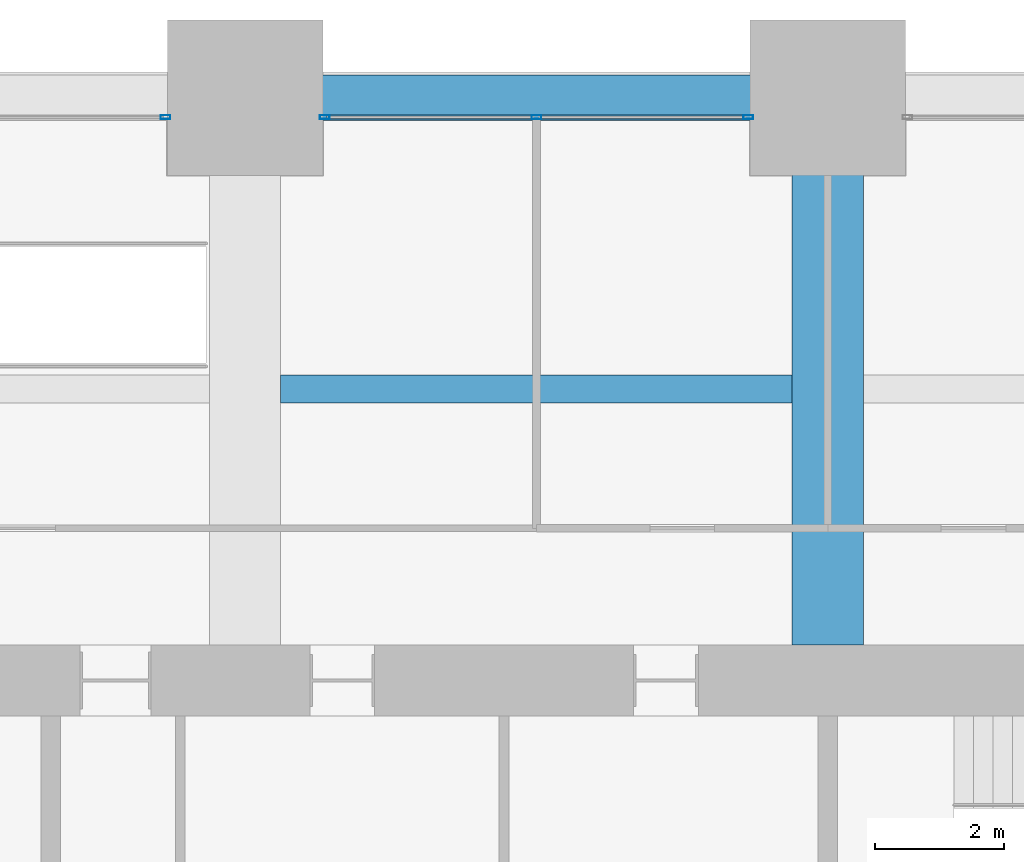
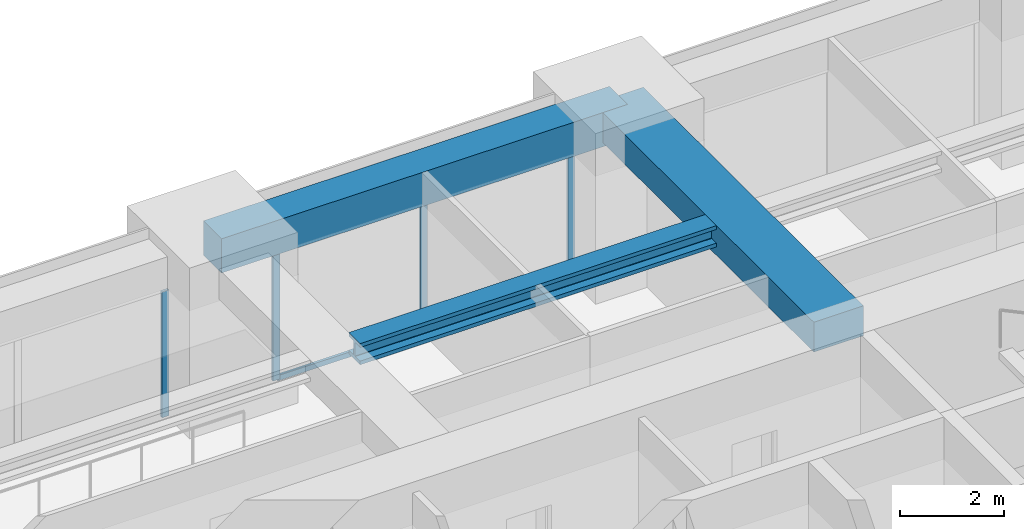
# One storey, part 25 of 32: 5 members, 3 beams, 2 elements without a shape of their own.
"""IFC4 building model written with IfcOpenShell, lengths in metres."""

from ifc_helpers import new_model, si_unit, direction, frame, origin, origin_2d, place, context, subcontext, project, spatial, rectangle, hollow_rectangle, i_section, extrude, material, material_profile, profile_set, type_object, element, aggregate, save


model = new_model("IFC4")

# Units and contexts
model_context = context("Model", 3, precision=1e-05, world=origin(), true_north=direction((0.0, 1.0)))
body_context = subcontext(model_context, "Body", "Model", "MODEL_VIEW")
ifc_project = project(units=[si_unit("LENGTHUNIT", "METRE"), si_unit("AREAUNIT", "SQUARE_METRE"), si_unit("VOLUMEUNIT", "CUBIC_METRE"), si_unit("PLANEANGLEUNIT", "RADIAN"), si_unit("MASSUNIT", "GRAM", prefix="KILO")], contexts=[model_context])

# Site, building, storey
site_placement = place(None, origin())
site = spatial("IfcSite", under=ifc_project, at=site_placement, CompositionType="ELEMENT")
building_placement = place(site_placement, origin())
building = spatial("IfcBuilding", under=site, at=building_placement, Name="Zorevar Civic Tower", CompositionType="ELEMENT")
storey_placement = place(building_placement, frame((0.0, 0.0, 198.199951171875)))
storey = spatial("IfcBuildingStorey", under=building, at=storey_placement, Name="L48", CompositionType="ELEMENT", Elevation=198.199951171875)

# Beam
ifc_material_1 = material(Name="Concrete C50/60", Category="concrete")
ifc_material_profile_1 = material_profile(ifc_material_1, rectangle(XDim=1.10009765625, YDim=0.699951171875, at=origin_2d()), Name="RC 1100x700")
ifc_profile_set_1 = profile_set([ifc_material_profile_1], Name="Concrete C50/60")
beam_type_1 = type_object("IfcBeamType", Name="Beam RC 1100x700", PredefinedType="BEAM", material=ifc_profile_set_1)
beam_1_placement = place(storey_placement, frame((36.0, 36.550048828125, 3.400146484375), z_axis=(0.0, 1.0, 0.0), x_axis=(-1.0, 0.0, 0.0)))
element("IfcBeam", 1, at=beam_1_placement, inside=storey, type_object=beam_type_1, Name="Girder L49", PredefinedType="BEAM", context=body_context, shape_type="SweptSolid", body=[
    extrude(rectangle(XDim=1.10009765625, YDim=0.699951171875, at=origin_2d()), origin(), (0.0, 0.0, 1.0), 8.449951171875),
])

# Curtain wall, member
ifc_material_2 = material(Name="Dark grey solar-control glass in black aluminium frame", Category="aluminium")
curtain_wall_type = type_object("IfcCurtainWallType", Name="Curtain wall CW4 high zone", PredefinedType="NOTDEFINED", material=ifc_material_2)
curtain_wall_1_placement = place(storey_placement, origin())
curtain_wall_1 = element("IfcCurtainWall", 2, at=curtain_wall_1_placement, inside=storey, type_object=curtain_wall_type, Name="CW4 L48", PredefinedType="NOTDEFINED")
ifc_material_3 = material(Name="Aluminium, black anodised", Category="aluminium")
ifc_material_profile_2 = material_profile(ifc_material_3, hollow_rectangle(XDim=0.06005859375, YDim=0.14990234375, WallThickness=0.00390625, at=origin_2d()), Name="AL 150x60x4")
ifc_profile_set_2 = profile_set([ifc_material_profile_2], Name="Aluminium, black anodised")
member_type_1 = type_object("IfcMemberType", Name="CW4 mullion AL 150x60x4", PredefinedType="MULLION", material=ifc_profile_set_2)
member_1_placement = place(storey_placement, frame((25.77001953125, 44.699951171875, 0.0), z_axis=(0.0, 0.0, 1.0), x_axis=(0.0, 1.0, 0.0)))
member_1 = element("IfcMember", 3, at=member_1_placement, type_object=member_type_1, Name="CW4 mullion 3", PredefinedType="MULLION", context=body_context, shape_type="SweptSolid", body=[
    extrude(hollow_rectangle(XDim=0.06005859375, YDim=0.14990234375, WallThickness=0.00390625, at=origin_2d()), origin(), (0.0, 0.0, 1.0), 2.949951171875),
])
aggregate(curtain_wall_1, [member_1])

# Curtain wall, members
curtain_wall_2_placement = place(storey_placement, origin())
curtain_wall_2 = element("IfcCurtainWall", 4, at=curtain_wall_2_placement, inside=storey, type_object=curtain_wall_type, Name="CW4 L48", PredefinedType="NOTDEFINED")
member_2_placement = place(storey_placement, frame((28.22998046875, 44.699951171875, 0.0), z_axis=(0.0, 0.0, 1.0), x_axis=(0.0, 1.0, 0.0)))
member_2 = element("IfcMember", 5, at=member_2_placement, type_object=member_type_1, Name="CW4 mullion 1", PredefinedType="MULLION", context=body_context, shape_type="SweptSolid", body=[
    extrude(hollow_rectangle(XDim=0.06005859375, YDim=0.14990234375, WallThickness=0.00390625, at=origin_2d()), origin(), (0.0, 0.0, 1.0), 2.949951171875),
])
member_3_placement = place(storey_placement, frame((31.5, 44.699951171875, 0.06005859375), z_axis=(0.0, 0.0, 1.0), x_axis=(0.0, 1.0, 0.0)))
member_3 = element("IfcMember", 6, at=member_3_placement, type_object=member_type_1, Name="CW4 mullion 2", PredefinedType="MULLION", context=body_context, shape_type="SweptSolid", body=[
    extrude(hollow_rectangle(XDim=0.06005859375, YDim=0.14990234375, WallThickness=0.00390625, at=origin_2d()), origin(), (0.0, 0.0, 1.0), 2.889892578125),
])
member_4_placement = place(storey_placement, frame((34.77001953125, 44.699951171875, 0.0), z_axis=(0.0, 0.0, 1.0), x_axis=(0.0, 1.0, 0.0)))
member_4 = element("IfcMember", 7, at=member_4_placement, type_object=member_type_1, Name="CW4 mullion 3", PredefinedType="MULLION", context=body_context, shape_type="SweptSolid", body=[
    extrude(hollow_rectangle(XDim=0.06005859375, YDim=0.14990234375, WallThickness=0.00390625, at=origin_2d()), origin(), (0.0, 0.0, 1.0), 2.949951171875),
])
ifc_material_4 = material(Name="Aluminium, black anodised", Category="aluminium")
ifc_material_profile_3 = material_profile(ifc_material_4, hollow_rectangle(XDim=0.06005859375, YDim=0.1201171875, WallThickness=0.0029296875, at=origin_2d()), Name="AL 120x60x3")
ifc_profile_set_3 = profile_set([ifc_material_profile_3], Name="Aluminium, black anodised")
member_type_2 = type_object("IfcMemberType", Name="CW4 transom AL 120x60x3", PredefinedType="USERDEFINED", material=ifc_profile_set_3)
member_5_placement = place(storey_placement, frame((28.260009765625, 44.699951171875, 0.030029296875), z_axis=(1.0, 0.0, 0.0), x_axis=(0.0, 1.0, 0.0)))
member_5 = element("IfcMember", 8, at=member_5_placement, type_object=member_type_2, Name="CW4 sill transom", ObjectType="TRANSOM", PredefinedType="USERDEFINED", context=body_context, shape_type="SweptSolid", body=[
    extrude(hollow_rectangle(XDim=0.06005859375, YDim=0.1201171875, WallThickness=0.0029296875, at=origin_2d()), origin(), (0.0, 0.0, 1.0), 6.47998046875),
])
aggregate(curtain_wall_2, [member_2, member_3, member_4, member_5])

# Beams
ifc_material_5 = material(Name="Steel S460M (HISTAR 460)", Category="steel")
ifc_material_profile_4 = material_profile(ifc_material_5, i_section(OverallWidth=0.431884765625, OverallDepth=0.498046875, WebThickness=0.0556640625, FlangeThickness=0.0888671875, FilletRadius=0.014892578125, at=origin_2d()), Name="HD 400x744")
ifc_profile_set_4 = profile_set([ifc_material_profile_4], Name="Steel S460M (HISTAR 460)")
beam_type_2 = type_object("IfcBeamType", Name="Core bay beam HD 400x744", PredefinedType="BEAM", material=ifc_profile_set_4)
beam_2_placement = place(storey_placement, frame((27.550048828125, 40.5, 3.5009765625), z_axis=(1.0, 0.0, 0.0), x_axis=(0.0, 1.0, 0.0)))
element("IfcBeam", 9, at=beam_2_placement, inside=storey, type_object=beam_type_2, Name="Secondary beam L49", PredefinedType="BEAM", context=body_context, shape_type="SweptSolid", body=[
    extrude(i_section(OverallWidth=0.431884765625, OverallDepth=0.498046875, WebThickness=0.0556640625, FlangeThickness=0.0888671875, FilletRadius=0.014892578125, at=origin_2d()), origin(), (0.0, 0.0, 1.0), 7.89990234375),
])
ifc_material_6 = material(Name="Concrete C50/60", Category="concrete")
ifc_material_profile_5 = material_profile(ifc_material_6, rectangle(XDim=0.699951171875, YDim=0.800048828125, at=origin_2d()), Name="RC 700x800")
ifc_profile_set_5 = profile_set([ifc_material_profile_5], Name="Concrete C50/60")
beam_type_3 = type_object("IfcBeamType", Name="Edge beam RC 700x800", PredefinedType="SPANDREL", material=ifc_profile_set_5)
beam_3_placement = place(storey_placement, frame((27.0, 45.0, 3.35009765625), z_axis=(1.0, 0.0, 0.0), x_axis=(0.0, 1.0, 0.0)))
element("IfcBeam", 10, at=beam_3_placement, inside=storey, type_object=beam_type_3, Name="Edge beam L49", PredefinedType="SPANDREL", context=body_context, shape_type="SweptSolid", body=[
    extrude(rectangle(XDim=0.699951171875, YDim=0.800048828125, at=origin_2d()), origin(), (0.0, 0.0, 1.0), 9.0),
])

save(model, "model.ifc")
